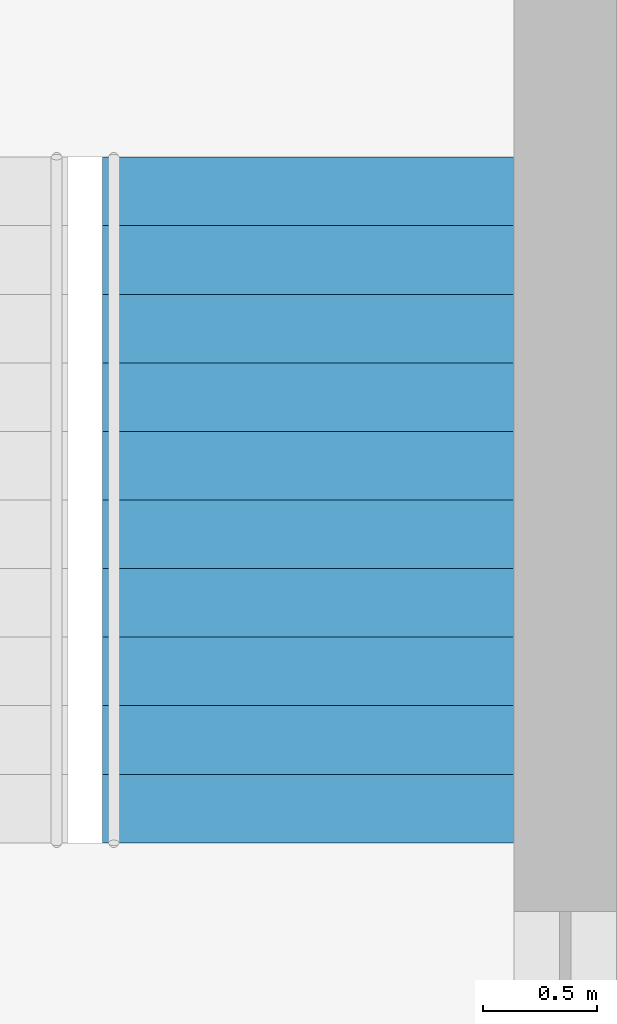
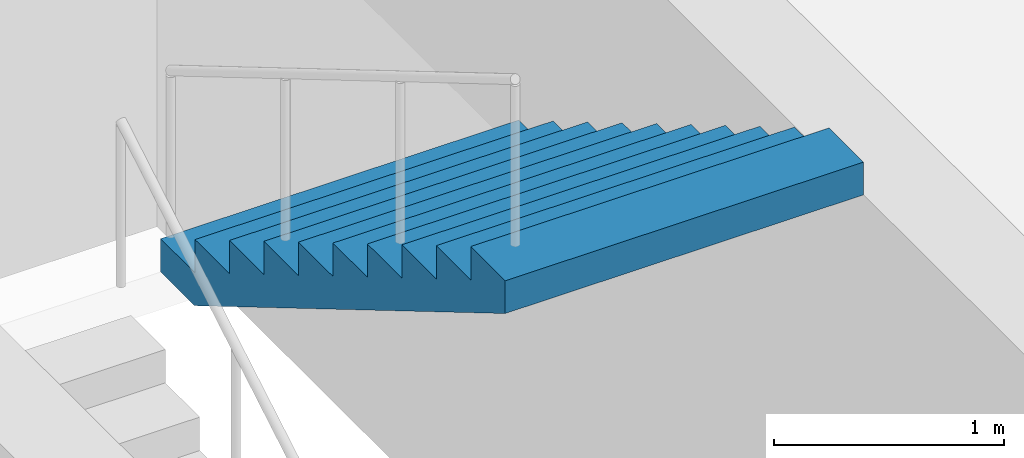
# One storey, part 12 of 13: 1 stair flight, 1 element without a shape of its own.
"""IFC4 building model written with IfcOpenShell, lengths in metres."""

from ifc_helpers import new_model, si_unit, direction, frame, origin, place, context, subcontext, project, spatial, polyline, outline, extrude, material, type_object, element, aggregate, save


model = new_model("IFC4")

# Units and contexts
model_context = context("Model", 3, precision=1e-05, world=origin(), true_north=direction((0.0, 1.0)))
body_context = subcontext(model_context, "Body", "Model", "MODEL_VIEW")
ifc_project = project(units=[si_unit("LENGTHUNIT", "METRE"), si_unit("AREAUNIT", "SQUARE_METRE"), si_unit("VOLUMEUNIT", "CUBIC_METRE"), si_unit("PLANEANGLEUNIT", "RADIAN"), si_unit("MASSUNIT", "GRAM", prefix="KILO")], contexts=[model_context])

# Site, building, storey
site_placement = place(None, origin())
site = spatial("IfcSite", under=ifc_project, at=site_placement, CompositionType="ELEMENT")
building_placement = place(site_placement, origin())
building = spatial("IfcBuilding", under=site, at=building_placement, Name="Dunama Terrace Hotel", CompositionType="ELEMENT")
storey_placement = place(building_placement, frame((0.0, 0.0, 280.199951171875)))
storey = spatial("IfcBuildingStorey", under=building, at=storey_placement, Name="L72", CompositionType="ELEMENT", Elevation=280.199951171875)

# Stair, stair flight
ifc_material_1 = material(Name="Concrete C40/50", Category="concrete")
stair_type = type_object("IfcStairType", Name="Stair ST1-3900-1800", PredefinedType="HALF_TURN_STAIR", material=ifc_material_1)
stair_placement = place(storey_placement, origin())
stair = element("IfcStair", 1, at=stair_placement, inside=storey, type_object=stair_type, Name="Stair ST1 L72", PredefinedType="HALF_TURN_STAIR")
ifc_material_2 = material(Name="Concrete C40/50", Category="concrete")
stair_flight_type = type_object("IfcStairFlightType", Name="Stair flight ST1-3900-1800", PredefinedType="STRAIGHT", material=ifc_material_2)
stair_flight_placement = place(storey_placement, frame((28.27490234375, 38.625, 1.949951171875), z_axis=(0.0, 0.0, 1.0), x_axis=(0.0, -1.0, 0.0)))
stair_flight = element("IfcStairFlight", 2, at=stair_flight_placement, type_object=stair_flight_type, Name="ST1 flight 2", NumberOfRisers=11, NumberOfTreads=10, PredefinedType="STRAIGHT", RiserHeight=0.177272727, TreadLength=0.3, context=body_context, shape_type="SweptSolid", body=[
    extrude(outline(polyline([(0.0, 0.0), (0.0, 0.17724609375), (0.300048828125, 0.17724609375), (0.300048828125, 0.3544921875), (0.60009765625, 0.3544921875), (0.60009765625, 0.53173828125), (0.89990234375, 0.53173828125), (0.89990234375, 0.708984375), (1.199951171875, 0.708984375), (1.199951171875, 0.886474609375), (1.5, 0.886474609375), (1.5, 1.063720703125), (1.800048828125, 1.063720703125), (1.800048828125, 1.240966796875), (2.10009765625, 1.240966796875), (2.10009765625, 1.418212890625), (2.39990234375, 1.418212890625), (2.39990234375, 1.595458984375), (2.699951171875, 1.595458984375), (2.699951171875, 1.772705078125), (3.0, 1.772705078125), (3.0, 1.949951171875), (3.0, 1.5986328125), (0.294677734375, 0.0), (0.0, 0.0)])), frame((0.0, 0.89990234375, 0.0), z_axis=(0.0, -1.0, 0.0), x_axis=(1.0, 0.0, 0.0)), (0.0, 0.0, 1.0), 1.800048828125),
])
aggregate(stair, [stair_flight])

save(model, "model.ifc")
